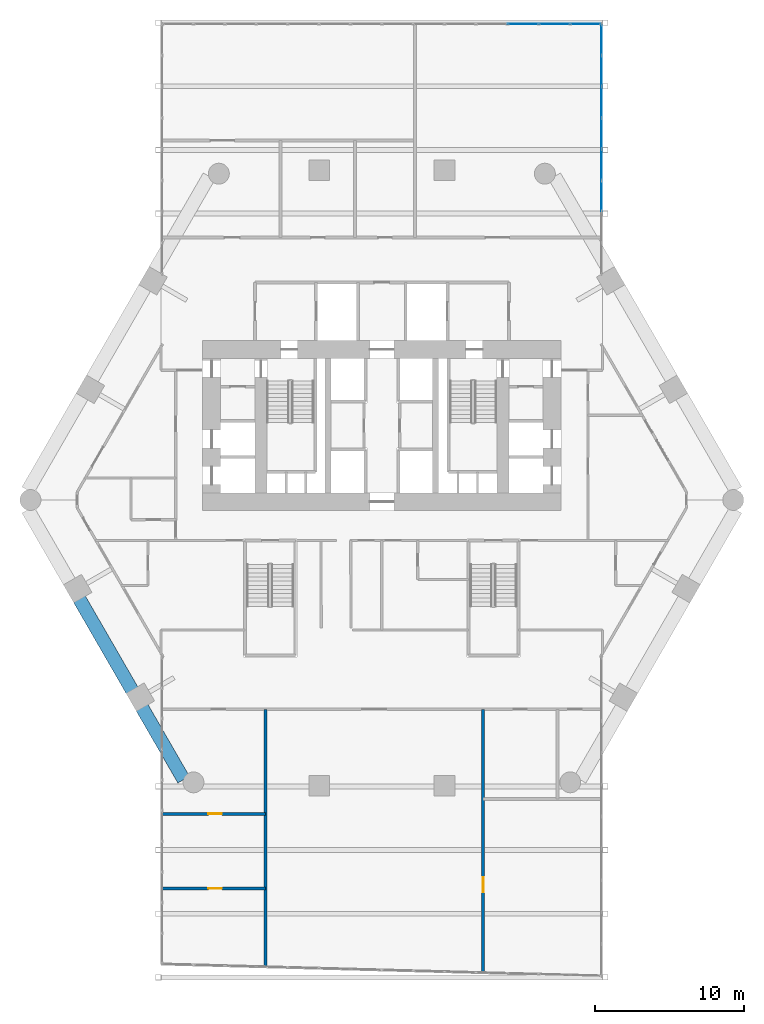
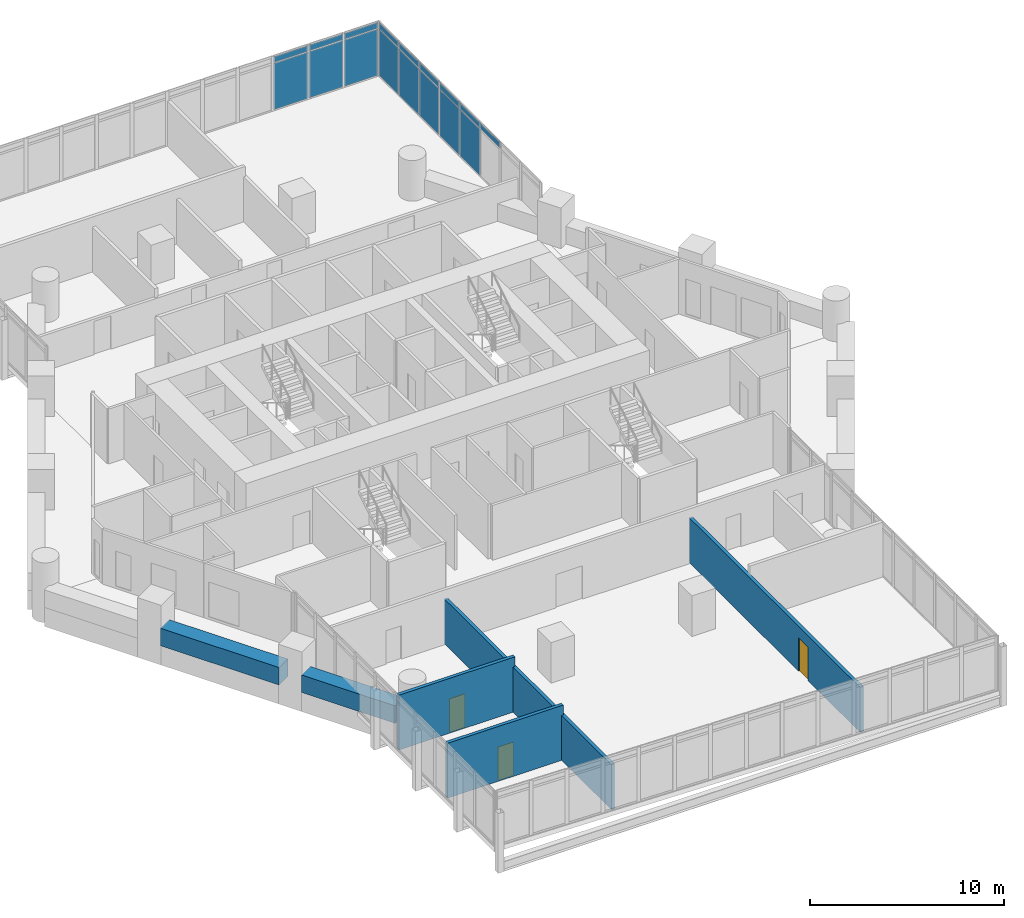
# One storey, part 22 of 28: 17 plates, 6 walls, 3 doors, 3 openings, 2 elements without a shape of their own.
"""IFC4 building model written with IfcOpenShell, lengths in metres."""

from ifc_helpers import new_model, si_unit, direction, frame, frame_2d, origin, origin_2d, place, context, subcontext, project, spatial, rectangle, extrude, material, layer, layer_set, type_object, element, fill, aggregate, save


model = new_model("IFC4")

# Units and contexts
model_context = context("Model", 3, precision=1e-05, world=origin(), true_north=direction((0.0, 1.0)))
body_context = subcontext(model_context, "Body", "Model", "MODEL_VIEW")
ifc_project = project(units=[si_unit("LENGTHUNIT", "METRE"), si_unit("AREAUNIT", "SQUARE_METRE"), si_unit("VOLUMEUNIT", "CUBIC_METRE"), si_unit("PLANEANGLEUNIT", "RADIAN"), si_unit("MASSUNIT", "GRAM", prefix="KILO")], contexts=[model_context])

# Site, building, storey
site_placement = place(None, origin())
site = spatial("IfcSite", under=ifc_project, at=site_placement, CompositionType="ELEMENT")
building_placement = place(site_placement, origin())
building = spatial("IfcBuilding", under=site, at=building_placement, Name="Ostrander Bayou Hotel Tower", CompositionType="ELEMENT")
storey_placement = place(building_placement, frame((0.0, 0.0, 73.0)))
storey = spatial("IfcBuildingStorey", under=building, at=storey_placement, Name="L18", CompositionType="ELEMENT", Elevation=73.0)

# Curtain wall, plates
ifc_material_1 = material(Name="Aluminium and clear glass", Category="aluminium")
curtain_wall_type = type_object("IfcCurtainWallType", Name="CW-BAR glazed wall", PredefinedType="NOTDEFINED", material=ifc_material_1)
curtain_wall_1_placement = place(storey_placement, origin())
curtain_wall_1 = element("IfcCurtainWall", 1, at=curtain_wall_1_placement, inside=storey, type_object=curtain_wall_type, Name="CW-BAR L18:SB1N:T", PredefinedType="NOTDEFINED")
ifc_material_2 = material(Name="Clear laminated glass", Category="glass")
ifc_layer_1 = layer(ifc_material_2, 0.028076171875)
ifc_layer_set_1 = layer_set([ifc_layer_1], Name="CW-BR glazing panel 28 mm")
plate_type = type_object("IfcPlateType", Name="CW-BR glazing panel 28 mm", PredefinedType="CURTAIN_PANEL", material=ifc_layer_set_1)
plate_1_placement = place(storey_placement, frame((9.457763671875, 30.88623046875, 0.06005859375), z_axis=(0.0, 0.0, 1.0), x_axis=(1.0, 0.0, 0.0)))
plate_1 = element("IfcPlate", 2, at=plate_1_placement, type_object=plate_type, Name="CW-BAR panel 12.1", PredefinedType="CURTAIN_PANEL", context=body_context, shape_type="SweptSolid", body=[
    extrude(rectangle(XDim=2.041748046875, YDim=0.028076171875, at=origin_2d()), origin(), (0.0, 0.0, 1.0), 2.909912109375),
])
plate_2_placement = place(storey_placement, frame((9.457763671875, 30.88623046875, 3.02978515625), z_axis=(0.0, 0.0, 1.0), x_axis=(1.0, 0.0, 0.0)))
plate_2 = element("IfcPlate", 3, at=plate_2_placement, type_object=plate_type, Name="CW-BAR panel 12.2", PredefinedType="CURTAIN_PANEL", context=body_context, shape_type="SweptSolid", body=[
    extrude(rectangle(XDim=2.041748046875, YDim=0.028076171875, at=origin_2d()), origin(), (0.0, 0.0, 1.0), 0.360107421875),
])
plate_3_placement = place(storey_placement, frame((11.5595703125, 30.88623046875, 0.06005859375), z_axis=(0.0, 0.0, 1.0), x_axis=(1.0, 0.0, 0.0)))
plate_3 = element("IfcPlate", 4, at=plate_3_placement, type_object=plate_type, Name="CW-BAR panel 13.1", PredefinedType="CURTAIN_PANEL", context=body_context, shape_type="SweptSolid", body=[
    extrude(rectangle(XDim=2.041748046875, YDim=0.028076171875, at=origin_2d()), origin(), (0.0, 0.0, 1.0), 2.909912109375),
])
plate_4_placement = place(storey_placement, frame((11.5595703125, 30.88623046875, 3.02978515625), z_axis=(0.0, 0.0, 1.0), x_axis=(1.0, 0.0, 0.0)))
plate_4 = element("IfcPlate", 5, at=plate_4_placement, type_object=plate_type, Name="CW-BAR panel 13.2", PredefinedType="CURTAIN_PANEL", context=body_context, shape_type="SweptSolid", body=[
    extrude(rectangle(XDim=2.041748046875, YDim=0.028076171875, at=origin_2d()), origin(), (0.0, 0.0, 1.0), 0.360107421875),
])
plate_5_placement = place(storey_placement, frame((13.646240234375, 30.88623046875, 0.06005859375), z_axis=(0.0, 0.0, 1.0), x_axis=(1.0, 0.0, 0.0)))
plate_5 = element("IfcPlate", 6, at=plate_5_placement, type_object=plate_type, Name="CW-BAR panel 14.1", PredefinedType="CURTAIN_PANEL", context=body_context, shape_type="SweptSolid", body=[
    extrude(rectangle(XDim=2.01171875, YDim=0.028076171875, at=origin_2d()), origin(), (0.0, 0.0, 1.0), 2.909912109375),
])
plate_6_placement = place(storey_placement, frame((13.646240234375, 30.88623046875, 3.02978515625), z_axis=(0.0, 0.0, 1.0), x_axis=(1.0, 0.0, 0.0)))
plate_6 = element("IfcPlate", 7, at=plate_6_placement, type_object=plate_type, Name="CW-BAR panel 14.2", PredefinedType="CURTAIN_PANEL", context=body_context, shape_type="SweptSolid", body=[
    extrude(rectangle(XDim=2.01171875, YDim=0.028076171875, at=origin_2d()), origin(), (0.0, 0.0, 1.0), 0.360107421875),
])
aggregate(curtain_wall_1, [plate_1, plate_2, plate_3, plate_4, plate_5, plate_6])

curtain_wall_2_placement = place(storey_placement, origin())
curtain_wall_2 = element("IfcCurtainWall", 8, at=curtain_wall_2_placement, inside=storey, type_object=curtain_wall_type, Name="CW-BAR L18:SB1N:W", PredefinedType="NOTDEFINED")
plate_7_placement = place(storey_placement, frame((14.712158203125, 19.3779296875, 3.02978515625), z_axis=(0.0, 0.0, 1.0), x_axis=(0.0, 1.0, 0.0)))
plate_7 = element("IfcPlate", 9, at=plate_7_placement, type_object=plate_type, Name="CW-BAR panel 3.2", PredefinedType="CURTAIN_PANEL", context=body_context, shape_type="SweptSolid", body=[
    extrude(rectangle(XDim=2.032470703125, YDim=0.028076171875, at=origin_2d()), origin(), (0.0, 0.0, 1.0), 0.360107421875),
])
plate_8_placement = place(storey_placement, frame((14.712158203125, 21.47021484375, 0.06005859375), z_axis=(0.0, 0.0, 1.0), x_axis=(0.0, 1.0, 0.0)))
plate_8 = element("IfcPlate", 10, at=plate_8_placement, type_object=plate_type, Name="CW-BAR panel 4.1", PredefinedType="CURTAIN_PANEL", context=body_context, shape_type="SweptSolid", body=[
    extrude(rectangle(XDim=2.032470703125, YDim=0.028076171875, at=origin_2d()), origin(), (0.0, 0.0, 1.0), 2.909912109375),
])
plate_9_placement = place(storey_placement, frame((14.712158203125, 21.47021484375, 3.02978515625), z_axis=(0.0, 0.0, 1.0), x_axis=(0.0, 1.0, 0.0)))
plate_9 = element("IfcPlate", 11, at=plate_9_placement, type_object=plate_type, Name="CW-BAR panel 4.2", PredefinedType="CURTAIN_PANEL", context=body_context, shape_type="SweptSolid", body=[
    extrude(rectangle(XDim=2.032470703125, YDim=0.028076171875, at=origin_2d()), origin(), (0.0, 0.0, 1.0), 0.360107421875),
])
plate_10_placement = place(storey_placement, frame((14.712158203125, 23.562744140625, 0.06005859375), z_axis=(0.0, 0.0, 1.0), x_axis=(0.0, 1.0, 0.0)))
plate_10 = element("IfcPlate", 12, at=plate_10_placement, type_object=plate_type, Name="CW-BAR panel 5.1", PredefinedType="CURTAIN_PANEL", context=body_context, shape_type="SweptSolid", body=[
    extrude(rectangle(XDim=2.032470703125, YDim=0.028076171875, at=origin_2d()), origin(), (0.0, 0.0, 1.0), 2.909912109375),
])
plate_11_placement = place(storey_placement, frame((14.712158203125, 23.562744140625, 3.02978515625), z_axis=(0.0, 0.0, 1.0), x_axis=(0.0, 1.0, 0.0)))
plate_11 = element("IfcPlate", 13, at=plate_11_placement, type_object=plate_type, Name="CW-BAR panel 5.2", PredefinedType="CURTAIN_PANEL", context=body_context, shape_type="SweptSolid", body=[
    extrude(rectangle(XDim=2.032470703125, YDim=0.028076171875, at=origin_2d()), origin(), (0.0, 0.0, 1.0), 0.360107421875),
])
plate_12_placement = place(storey_placement, frame((14.712158203125, 25.655029296875, 0.06005859375), z_axis=(0.0, 0.0, 1.0), x_axis=(0.0, 1.0, 0.0)))
plate_12 = element("IfcPlate", 14, at=plate_12_placement, type_object=plate_type, Name="CW-BAR panel 6.1", PredefinedType="CURTAIN_PANEL", context=body_context, shape_type="SweptSolid", body=[
    extrude(rectangle(XDim=2.032470703125, YDim=0.028076171875, at=origin_2d()), origin(), (0.0, 0.0, 1.0), 2.909912109375),
])
plate_13_placement = place(storey_placement, frame((14.712158203125, 25.655029296875, 3.02978515625), z_axis=(0.0, 0.0, 1.0), x_axis=(0.0, 1.0, 0.0)))
plate_13 = element("IfcPlate", 15, at=plate_13_placement, type_object=plate_type, Name="CW-BAR panel 6.2", PredefinedType="CURTAIN_PANEL", context=body_context, shape_type="SweptSolid", body=[
    extrude(rectangle(XDim=2.032470703125, YDim=0.028076171875, at=origin_2d()), origin(), (0.0, 0.0, 1.0), 0.360107421875),
])
plate_14_placement = place(storey_placement, frame((14.712158203125, 27.74755859375, 0.06005859375), z_axis=(0.0, 0.0, 1.0), x_axis=(0.0, 1.0, 0.0)))
plate_14 = element("IfcPlate", 16, at=plate_14_placement, type_object=plate_type, Name="CW-BAR panel 7.1", PredefinedType="CURTAIN_PANEL", context=body_context, shape_type="SweptSolid", body=[
    extrude(rectangle(XDim=2.032470703125, YDim=0.028076171875, at=origin_2d()), origin(), (0.0, 0.0, 1.0), 2.909912109375),
])
plate_15_placement = place(storey_placement, frame((14.712158203125, 27.74755859375, 3.02978515625), z_axis=(0.0, 0.0, 1.0), x_axis=(0.0, 1.0, 0.0)))
plate_15 = element("IfcPlate", 17, at=plate_15_placement, type_object=plate_type, Name="CW-BAR panel 7.2", PredefinedType="CURTAIN_PANEL", context=body_context, shape_type="SweptSolid", body=[
    extrude(rectangle(XDim=2.032470703125, YDim=0.028076171875, at=origin_2d()), origin(), (0.0, 0.0, 1.0), 0.360107421875),
])
plate_16_placement = place(storey_placement, frame((14.712158203125, 29.824951171875, 0.06005859375), z_axis=(0.0, 0.0, 1.0), x_axis=(0.0, 1.0, 0.0)))
plate_16 = element("IfcPlate", 18, at=plate_16_placement, type_object=plate_type, Name="CW-BAR panel 8.1", PredefinedType="CURTAIN_PANEL", context=body_context, shape_type="SweptSolid", body=[
    extrude(rectangle(XDim=2.00244140625, YDim=0.028076171875, at=origin_2d()), origin(), (0.0, 0.0, 1.0), 2.909912109375),
])
plate_17_placement = place(storey_placement, frame((14.712158203125, 29.824951171875, 3.02978515625), z_axis=(0.0, 0.0, 1.0), x_axis=(0.0, 1.0, 0.0)))
plate_17 = element("IfcPlate", 19, at=plate_17_placement, type_object=plate_type, Name="CW-BAR panel 8.2", PredefinedType="CURTAIN_PANEL", context=body_context, shape_type="SweptSolid", body=[
    extrude(rectangle(XDim=2.00244140625, YDim=0.028076171875, at=origin_2d()), origin(), (0.0, 0.0, 1.0), 0.360107421875),
])
aggregate(curtain_wall_2, [plate_7, plate_8, plate_9, plate_10, plate_11, plate_12, plate_13, plate_14, plate_15, plate_16, plate_17])

# Walls
ifc_material_3 = material(Name="Limestone masonry", Category="masonry")
ifc_layer_2 = layer(ifc_material_3, 0.89990234375)
ifc_layer_set_2 = layer_set([ifc_layer_2], Name="PA2 limestone parapet 900 mm")
wall_type_1 = type_object("IfcWallType", Name="PA2 limestone parapet 900 mm", PredefinedType="PARAPET", material=ifc_layer_set_2)
wall_1_placement = place(storey_placement, frame((-20.252197265625, -7.621826171875, 0.0), z_axis=(0.0, 0.0, 1.0), x_axis=(0.499997206141, -0.866027016814, 0.0)))
element("IfcWall", 20, at=wall_1_placement, inside=storey, type_object=wall_type_1, Name="PA2 L18 SW-2", PredefinedType="PARAPET", context=body_context, shape_type="SweptSolid", body=[
    extrude(rectangle(XDim=7.05078125, YDim=0.89990234375, at=frame_2d((3.525390625, 0.0))), origin(), (0.0, 0.0, 1.0), 1.10009765625),
])
wall_2_placement = place(storey_placement, frame((-16.056884765625, -14.888671875, 0.0), z_axis=(0.0, 0.0, 1.0), x_axis=(0.499976681983, -0.866038866029, 0.0)))
element("IfcWall", 21, at=wall_2_placement, inside=storey, type_object=wall_type_1, Name="PA2 L18 SW-3", PredefinedType="PARAPET", context=body_context, shape_type="SweptSolid", body=[
    extrude(rectangle(XDim=5.569580078125, YDim=0.89990234375, at=frame_2d((2.78466796875, 0.0))), origin(), (0.0, 0.0, 1.0), 1.10009765625),
])

# Wall, opening, door
ifc_material_4 = material(Name="Gypsum board partition", Category="finish")
ifc_layer_3 = layer(ifc_material_4, 0.199951171875)
ifc_layer_set_3 = layer_set([ifc_layer_3], Name="PT3 demising wall 200 mm acoustic double stud, 1 hour")
wall_type_2 = type_object("IfcWallType", Name="PT3 demising wall 200 mm acoustic double stud, 1 hour", PredefinedType="PARTITIONING", material=ifc_layer_set_3)
wall_3_placement = place(storey_placement, frame((-14.693115234375, -27.0, 0.0), z_axis=(0.0, 0.0, 1.0), x_axis=(1.0, 0.0, 0.0)))
wall_3 = element("IfcWall", 22, at=wall_3_placement, inside=storey, type_object=wall_type_2, Name="sw:L18:502", PredefinedType="PARTITIONING", context=body_context, shape_type="SweptSolid", body=[
    extrude(rectangle(XDim=6.906005859375, YDim=0.199951171875, at=frame_2d((3.453125, 0.0))), origin(), (0.0, 0.0, 1.0), 3.449951171875),
])
opening_1_placement = place(wall_3_placement, frame((3.071044921875, 0.0, 0.0)))
opening_1 = element("IfcOpeningElement", 23, at=opening_1_placement, cuts=wall_3, Name="Opening T18-1202", PredefinedType="OPENING", context=body_context, shape_type="SweptSolid", body=[
    extrude(rectangle(XDim=0.89990234375, YDim=2.10009765625, at=frame_2d((0.449951171875, 1.050048828125))), frame((0.0, 0.10009765625, 0.0), z_axis=(0.0, -1.0, 0.0), x_axis=(1.0, 0.0, 0.0)), (0.0, 0.0, 1.0), 0.199951171875),
])
ifc_material_5 = material(Name="Timber door leaf", Category="wood")
door_type_1 = type_object("IfcDoorType", Name="D8 room door 900 x 2100 mm", OperationType="SINGLE_SWING_LEFT", PredefinedType="DOOR", material=ifc_material_5)
door_1_placement = place(opening_1_placement, origin())
door_1 = element("IfcDoor", 24, at=door_1_placement, inside=storey, type_object=door_type_1, Name="dr:L18:1202", OperationType="SINGLE_SWING_RIGHT", OverallHeight=2.10009765625, OverallWidth=0.89990234375, PredefinedType="DOOR", context=body_context, shape_type="SweptSolid", body=[
    extrude(rectangle(XDim=0.89990234375, YDim=2.10009765625, at=frame_2d((0.449951171875, 1.050048828125))), frame((0.0, 0.02490234375, 0.0), z_axis=(0.0, -1.0, 0.0), x_axis=(1.0, 0.0, 0.0)), (0.0, 0.0, 1.0), 0.050048828125),
])
fill(opening_1, door_1)

wall_4_placement = place(storey_placement, frame((-14.693115234375, -22.0, 0.0), z_axis=(0.0, 0.0, 1.0), x_axis=(1.0, 0.0, 0.0)))
wall_4 = element("IfcWall", 25, at=wall_4_placement, inside=storey, type_object=wall_type_2, Name="sw:L18:503", PredefinedType="PARTITIONING", context=body_context, shape_type="SweptSolid", body=[
    extrude(rectangle(XDim=6.906005859375, YDim=0.199951171875, at=frame_2d((3.453125, 0.0))), origin(), (0.0, 0.0, 1.0), 3.449951171875),
])
opening_2_placement = place(wall_4_placement, frame((3.071044921875, 0.0, 0.0)))
opening_2 = element("IfcOpeningElement", 26, at=opening_2_placement, cuts=wall_4, Name="Opening T18-1201", PredefinedType="OPENING", context=body_context, shape_type="SweptSolid", body=[
    extrude(rectangle(XDim=0.89990234375, YDim=2.10009765625, at=frame_2d((0.449951171875, 1.050048828125))), frame((0.0, 0.10009765625, 0.0), z_axis=(0.0, -1.0, 0.0), x_axis=(1.0, 0.0, 0.0)), (0.0, 0.0, 1.0), 0.199951171875),
])
door_2_placement = place(opening_2_placement, origin())
door_2 = element("IfcDoor", 27, at=door_2_placement, inside=storey, type_object=door_type_1, Name="dr:L18:1201", OperationType="SINGLE_SWING_LEFT", OverallHeight=2.10009765625, OverallWidth=0.89990234375, PredefinedType="DOOR", context=body_context, shape_type="SweptSolid", body=[
    extrude(rectangle(XDim=0.89990234375, YDim=2.10009765625, at=frame_2d((0.449951171875, 1.050048828125))), frame((0.0, 0.02490234375, 0.0), z_axis=(0.0, -1.0, 0.0), x_axis=(1.0, 0.0, 0.0)), (0.0, 0.0, 1.0), 0.050048828125),
])
fill(opening_2, door_2)

# Wall
wall_5_placement = place(storey_placement, frame((-7.787109375, -32.22021484375, 0.0), z_axis=(0.0, 0.0, 1.0), x_axis=(0.0, 1.0, 0.0)))
element("IfcWall", 28, at=wall_5_placement, inside=storey, type_object=wall_type_2, Name="sw:L18:506", PredefinedType="PARTITIONING", context=body_context, shape_type="SweptSolid", body=[
    extrude(rectangle(XDim=17.22021484375, YDim=0.199951171875, at=frame_2d((8.610107421875, 0.0))), origin(), (0.0, 0.0, 1.0), 2.828125),
])

# Wall, opening, door
wall_6_placement = place(storey_placement, frame((6.787109375, -32.614501953125, 0.0), z_axis=(0.0, 0.0, 1.0), x_axis=(0.0, 1.0, 0.0)))
wall_6 = element("IfcWall", 29, at=wall_6_placement, inside=storey, type_object=wall_type_2, Name="sw:L18:510", PredefinedType="PARTITIONING", context=body_context, shape_type="SweptSolid", body=[
    extrude(rectangle(XDim=17.614501953125, YDim=0.199951171875, at=frame_2d((8.80712890625, 0.0))), origin(), (0.0, 0.0, 1.0), 2.828125),
])
opening_3_placement = place(wall_6_placement, frame((5.36279296875, 0.0, 0.0)))
opening_3 = element("IfcOpeningElement", 30, at=opening_3_placement, cuts=wall_6, Name="Opening T18-1203", PredefinedType="OPENING", context=body_context, shape_type="SweptSolid", body=[
    extrude(rectangle(XDim=1.0, YDim=2.10009765625, at=frame_2d((0.5, 1.050048828125))), frame((0.0, 0.10009765625, 0.0), z_axis=(0.0, -1.0, 0.0), x_axis=(1.0, 0.0, 0.0)), (0.0, 0.0, 1.0), 0.199951171875),
])
ifc_material_6 = material(Name="Timber door leaf", Category="wood")
door_type_2 = type_object("IfcDoorType", Name="D9 service door 1000 x 2100 mm, 30 minute", OperationType="SINGLE_SWING_LEFT", PredefinedType="DOOR", material=ifc_material_6)
door_3_placement = place(opening_3_placement, origin())
door_3 = element("IfcDoor", 31, at=door_3_placement, inside=storey, type_object=door_type_2, Name="dr:L18:1203", OperationType="SINGLE_SWING_LEFT", OverallHeight=2.10009765625, OverallWidth=1.0, PredefinedType="DOOR", context=body_context, shape_type="SweptSolid", body=[
    extrude(rectangle(XDim=1.0, YDim=2.10009765625, at=frame_2d((0.5, 1.050048828125))), frame((0.0, 0.02490234375, 0.0), z_axis=(0.0, -1.0, 0.0), x_axis=(1.0, 0.0, 0.0)), (0.0, 0.0, 1.0), 0.050048828125),
])
fill(opening_3, door_3)

save(model, "model.ifc")
